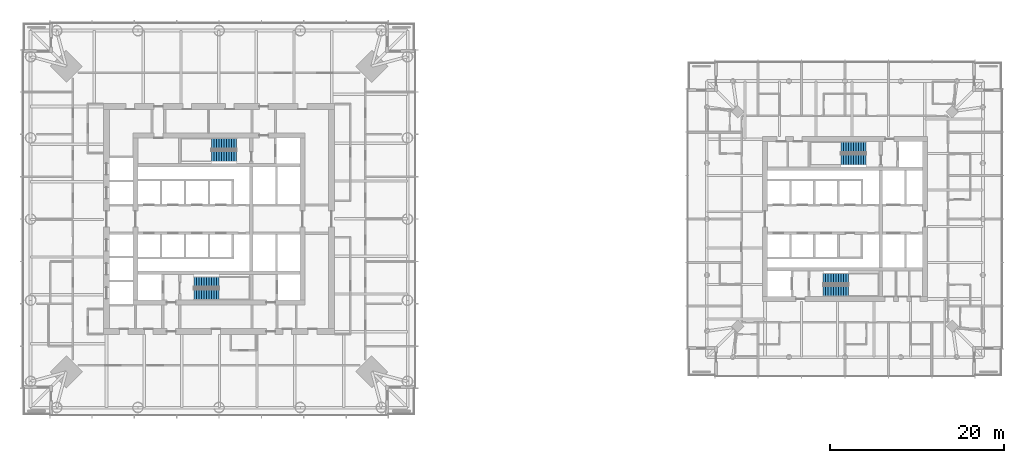
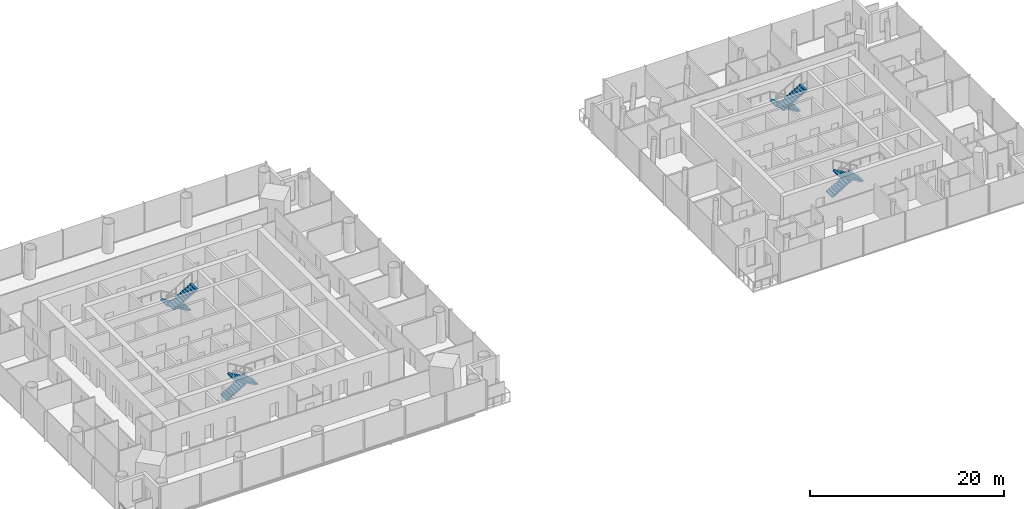
# One storey, part 16 of 18: 8 stair flights, 4 elements without a shape of their own.
"""IFC4 building model written with IfcOpenShell, lengths in metres."""

from ifc_helpers import new_model, si_unit, direction, frame, origin, place, context, subcontext, project, spatial, polyline, outline, extrude, material, type_object, element, aggregate, save


model = new_model("IFC4")

# Units and contexts
model_context = context("Model", 3, precision=1e-05, world=origin(), true_north=direction((0.0, 1.0)))
body_context = subcontext(model_context, "Body", "Model", "MODEL_VIEW")
ifc_project = project(units=[si_unit("LENGTHUNIT", "METRE"), si_unit("AREAUNIT", "SQUARE_METRE"), si_unit("VOLUMEUNIT", "CUBIC_METRE"), si_unit("PLANEANGLEUNIT", "RADIAN"), si_unit("MASSUNIT", "GRAM", prefix="KILO")], contexts=[model_context])

# Site, building, storey
site_placement = place(None, origin())
site = spatial("IfcSite", under=ifc_project, at=site_placement, CompositionType="ELEMENT")
building_placement = place(site_placement, origin())
building = spatial("IfcBuilding", under=site, at=building_placement, Name="Ostroluk Exchange", CompositionType="ELEMENT")
storey_placement = place(building_placement, frame((0.0, 0.0, 93.199951171875)))
storey = spatial("IfcBuildingStorey", under=building, at=storey_placement, Name="L23", CompositionType="ELEMENT", Elevation=93.199951171875)

# Stair, stair flights
ifc_material_1 = material(Name="Concrete C30/37", Category="concrete")
stair_type = type_object("IfcStairType", Name="Exit stair half turn 3800", PredefinedType="HALF_TURN_STAIR", material=ifc_material_1)
stair_1_placement = place(storey_placement, origin())
stair_1 = element("IfcStair", 1, at=stair_1_placement, inside=storey, type_object=stair_type, Name="Stair T1-S1 L23", PredefinedType="HALF_TURN_STAIR")
ifc_material_2 = material(Name="Concrete C30/37", Category="concrete")
stair_flight_type = type_object("IfcStairFlightType", Name="Stair flight 11 risers 172.7 x 290", PredefinedType="STRAIGHT", material=ifc_material_2)
stair_flight_1_placement = place(storey_placement, frame((42.10009765625, 38.77490234375, 0.0), z_axis=(0.0, 0.0, 1.0), x_axis=(1.0, 0.0, 0.0)))
stair_flight_1 = element("IfcStairFlight", 2, at=stair_flight_1_placement, type_object=stair_flight_type, Name="T1-S1 flight 1", NumberOfRisers=11, NumberOfTreads=10, PredefinedType="STRAIGHT", RiserHeight=0.172727273, TreadLength=0.29, context=body_context, shape_type="SweptSolid", body=[
    extrude(outline(polyline([(0.0, 0.0), (0.0, 0.172607421875), (0.2900390625, 0.172607421875), (0.2900390625, 0.345458984375), (0.580078125, 0.345458984375), (0.580078125, 0.51806640625), (0.8701171875, 0.51806640625), (0.8701171875, 0.69091796875), (1.159912109375, 0.69091796875), (1.159912109375, 0.863525390625), (1.449951171875, 0.863525390625), (1.449951171875, 1.036376953125), (1.739990234375, 1.036376953125), (1.739990234375, 1.208984375), (2.030029296875, 1.208984375), (2.030029296875, 1.3818359375), (2.320068359375, 1.3818359375), (2.320068359375, 1.554443359375), (2.610107421875, 1.554443359375), (2.610107421875, 1.727294921875), (2.89990234375, 1.727294921875), (2.89990234375, 1.89990234375), (2.89990234375, 1.552734375), (0.29296875, 0.0), (0.0, 0.0)])), frame((0.0, 0.625, 0.0), z_axis=(0.0, -1.0, 0.0), x_axis=(1.0, 0.0, 0.0)), (0.0, 0.0, 1.0), 1.25),
])
stair_flight_2_placement = place(storey_placement, frame((45.0, 37.324951171875, 1.900146484375), z_axis=(0.0, 0.0, 1.0), x_axis=(-1.0, 0.0, 0.0)))
stair_flight_2 = element("IfcStairFlight", 3, at=stair_flight_2_placement, type_object=stair_flight_type, Name="T1-S1 flight 2", NumberOfRisers=11, NumberOfTreads=10, PredefinedType="STRAIGHT", RiserHeight=0.172727273, TreadLength=0.29, context=body_context, shape_type="SweptSolid", body=[
    extrude(outline(polyline([(0.0, 0.0), (0.0, 0.172607421875), (0.2900390625, 0.172607421875), (0.2900390625, 0.345458984375), (0.580078125, 0.345458984375), (0.580078125, 0.51806640625), (0.8701171875, 0.51806640625), (0.8701171875, 0.69091796875), (1.159912109375, 0.69091796875), (1.159912109375, 0.863525390625), (1.449951171875, 0.863525390625), (1.449951171875, 1.036376953125), (1.739990234375, 1.036376953125), (1.739990234375, 1.208984375), (2.030029296875, 1.208984375), (2.030029296875, 1.3818359375), (2.320068359375, 1.3818359375), (2.320068359375, 1.554443359375), (2.610107421875, 1.554443359375), (2.610107421875, 1.727294921875), (2.89990234375, 1.727294921875), (2.89990234375, 1.89990234375), (2.89990234375, 1.552734375), (0.29296875, 0.0), (0.0, 0.0)])), frame((0.0, 0.625, 0.0), z_axis=(0.0, -1.0, 0.0), x_axis=(1.0, 0.0, 0.0)), (0.0, 0.0, 1.0), 1.25),
])
aggregate(stair_1, [stair_flight_1, stair_flight_2])

stair_2_placement = place(storey_placement, origin())
stair_2 = element("IfcStair", 4, at=stair_2_placement, inside=storey, type_object=stair_type, Name="Stair T1-S2 L23", PredefinedType="HALF_TURN_STAIR")
stair_flight_3_placement = place(storey_placement, frame((47.030029296875, 54.675048828125, 0.0), z_axis=(0.0, 0.0, 1.0), x_axis=(-1.0, 0.0, 0.0)))
stair_flight_3 = element("IfcStairFlight", 5, at=stair_flight_3_placement, type_object=stair_flight_type, Name="T1-S2 flight 1", NumberOfRisers=11, NumberOfTreads=10, PredefinedType="STRAIGHT", RiserHeight=0.172727273, TreadLength=0.29, context=body_context, shape_type="SweptSolid", body=[
    extrude(outline(polyline([(0.0, 0.0), (0.0, 0.172607421875), (0.2900390625, 0.172607421875), (0.2900390625, 0.345458984375), (0.580078125, 0.345458984375), (0.580078125, 0.51806640625), (0.8701171875, 0.51806640625), (0.8701171875, 0.69091796875), (1.159912109375, 0.69091796875), (1.159912109375, 0.863525390625), (1.449951171875, 0.863525390625), (1.449951171875, 1.036376953125), (1.739990234375, 1.036376953125), (1.739990234375, 1.208984375), (2.030029296875, 1.208984375), (2.030029296875, 1.3818359375), (2.320068359375, 1.3818359375), (2.320068359375, 1.554443359375), (2.610107421875, 1.554443359375), (2.610107421875, 1.727294921875), (2.89990234375, 1.727294921875), (2.89990234375, 1.89990234375), (2.89990234375, 1.552734375), (0.29296875, 0.0), (0.0, 0.0)])), frame((0.0, 0.625, 0.0), z_axis=(0.0, -1.0, 0.0), x_axis=(1.0, 0.0, 0.0)), (0.0, 0.0, 1.0), 1.25),
])
stair_flight_4_placement = place(storey_placement, frame((44.1298828125, 53.22509765625, 1.900146484375), z_axis=(0.0, 0.0, 1.0), x_axis=(1.0, 0.0, 0.0)))
stair_flight_4 = element("IfcStairFlight", 6, at=stair_flight_4_placement, type_object=stair_flight_type, Name="T1-S2 flight 2", NumberOfRisers=11, NumberOfTreads=10, PredefinedType="STRAIGHT", RiserHeight=0.172727273, TreadLength=0.29, context=body_context, shape_type="SweptSolid", body=[
    extrude(outline(polyline([(0.0, 0.0), (0.0, 0.172607421875), (0.2900390625, 0.172607421875), (0.2900390625, 0.345458984375), (0.580078125, 0.345458984375), (0.580078125, 0.51806640625), (0.8701171875, 0.51806640625), (0.8701171875, 0.69091796875), (1.159912109375, 0.69091796875), (1.159912109375, 0.863525390625), (1.449951171875, 0.863525390625), (1.449951171875, 1.036376953125), (1.739990234375, 1.036376953125), (1.739990234375, 1.208984375), (2.030029296875, 1.208984375), (2.030029296875, 1.3818359375), (2.320068359375, 1.3818359375), (2.320068359375, 1.554443359375), (2.610107421875, 1.554443359375), (2.610107421875, 1.727294921875), (2.89990234375, 1.727294921875), (2.89990234375, 1.89990234375), (2.89990234375, 1.552734375), (0.29296875, 0.0), (0.0, 0.0)])), frame((0.0, 0.625, 0.0), z_axis=(0.0, -1.0, 0.0), x_axis=(1.0, 0.0, 0.0)), (0.0, 0.0, 1.0), 1.25),
])
aggregate(stair_2, [stair_flight_3, stair_flight_4])

stair_3_placement = place(storey_placement, origin())
stair_3 = element("IfcStair", 7, at=stair_3_placement, inside=storey, type_object=stair_type, Name="Stair T2-S1 L23", PredefinedType="HALF_TURN_STAIR")
stair_flight_5_placement = place(storey_placement, frame((114.5, 39.175048828125, 0.0), z_axis=(0.0, 0.0, 1.0), x_axis=(1.0, 0.0, 0.0)))
stair_flight_5 = element("IfcStairFlight", 8, at=stair_flight_5_placement, type_object=stair_flight_type, Name="T2-S1 flight 1", NumberOfRisers=11, NumberOfTreads=10, PredefinedType="STRAIGHT", RiserHeight=0.172727273, TreadLength=0.29, context=body_context, shape_type="SweptSolid", body=[
    extrude(outline(polyline([(0.0, 0.0), (0.0, 0.172607421875), (0.2900390625, 0.172607421875), (0.2900390625, 0.345458984375), (0.580078125, 0.345458984375), (0.580078125, 0.51806640625), (0.8701171875, 0.51806640625), (0.8701171875, 0.69091796875), (1.159912109375, 0.69091796875), (1.159912109375, 0.863525390625), (1.449951171875, 0.863525390625), (1.449951171875, 1.036376953125), (1.739990234375, 1.036376953125), (1.739990234375, 1.208984375), (2.030029296875, 1.208984375), (2.030029296875, 1.3818359375), (2.320068359375, 1.3818359375), (2.320068359375, 1.554443359375), (2.610107421875, 1.554443359375), (2.610107421875, 1.727294921875), (2.89990234375, 1.727294921875), (2.89990234375, 1.89990234375), (2.89990234375, 1.552734375), (0.29296875, 0.0), (0.0, 0.0)])), frame((0.0, 0.625, 0.0), z_axis=(0.0, -1.0, 0.0), x_axis=(1.0, 0.0, 0.0)), (0.0, 0.0, 1.0), 1.25),
])
stair_flight_6_placement = place(storey_placement, frame((117.39990234375, 37.72509765625, 1.900146484375), z_axis=(0.0, 0.0, 1.0), x_axis=(-1.0, 0.0, 0.0)))
stair_flight_6 = element("IfcStairFlight", 9, at=stair_flight_6_placement, type_object=stair_flight_type, Name="T2-S1 flight 2", NumberOfRisers=11, NumberOfTreads=10, PredefinedType="STRAIGHT", RiserHeight=0.172727273, TreadLength=0.29, context=body_context, shape_type="SweptSolid", body=[
    extrude(outline(polyline([(0.0, 0.0), (0.0, 0.172607421875), (0.2900390625, 0.172607421875), (0.2900390625, 0.345458984375), (0.580078125, 0.345458984375), (0.580078125, 0.51806640625), (0.8701171875, 0.51806640625), (0.8701171875, 0.69091796875), (1.159912109375, 0.69091796875), (1.159912109375, 0.863525390625), (1.449951171875, 0.863525390625), (1.449951171875, 1.036376953125), (1.739990234375, 1.036376953125), (1.739990234375, 1.208984375), (2.030029296875, 1.208984375), (2.030029296875, 1.3818359375), (2.320068359375, 1.3818359375), (2.320068359375, 1.554443359375), (2.610107421875, 1.554443359375), (2.610107421875, 1.727294921875), (2.89990234375, 1.727294921875), (2.89990234375, 1.89990234375), (2.89990234375, 1.552734375), (0.29296875, 0.0), (0.0, 0.0)])), frame((0.0, 0.625, 0.0), z_axis=(0.0, -1.0, 0.0), x_axis=(1.0, 0.0, 0.0)), (0.0, 0.0, 1.0), 1.25),
])
aggregate(stair_3, [stair_flight_5, stair_flight_6])

stair_4_placement = place(storey_placement, origin())
stair_4 = element("IfcStair", 10, at=stair_4_placement, inside=storey, type_object=stair_type, Name="Stair T2-S2 L23", PredefinedType="HALF_TURN_STAIR")
stair_flight_7_placement = place(storey_placement, frame((119.429931640625, 54.27490234375, 0.0), z_axis=(0.0, 0.0, 1.0), x_axis=(-1.0, 0.0, 0.0)))
stair_flight_7 = element("IfcStairFlight", 11, at=stair_flight_7_placement, type_object=stair_flight_type, Name="T2-S2 flight 1", NumberOfRisers=11, NumberOfTreads=10, PredefinedType="STRAIGHT", RiserHeight=0.172727273, TreadLength=0.29, context=body_context, shape_type="SweptSolid", body=[
    extrude(outline(polyline([(0.0, 0.0), (0.0, 0.172607421875), (0.2900390625, 0.172607421875), (0.2900390625, 0.345458984375), (0.580078125, 0.345458984375), (0.580078125, 0.51806640625), (0.8701171875, 0.51806640625), (0.8701171875, 0.69091796875), (1.159912109375, 0.69091796875), (1.159912109375, 0.863525390625), (1.449951171875, 0.863525390625), (1.449951171875, 1.036376953125), (1.739990234375, 1.036376953125), (1.739990234375, 1.208984375), (2.030029296875, 1.208984375), (2.030029296875, 1.3818359375), (2.320068359375, 1.3818359375), (2.320068359375, 1.554443359375), (2.610107421875, 1.554443359375), (2.610107421875, 1.727294921875), (2.89990234375, 1.727294921875), (2.89990234375, 1.89990234375), (2.89990234375, 1.552734375), (0.29296875, 0.0), (0.0, 0.0)])), frame((0.0, 0.625, 0.0), z_axis=(0.0, -1.0, 0.0), x_axis=(1.0, 0.0, 0.0)), (0.0, 0.0, 1.0), 1.25),
])
stair_flight_8_placement = place(storey_placement, frame((116.530029296875, 52.824951171875, 1.900146484375), z_axis=(0.0, 0.0, 1.0), x_axis=(1.0, 0.0, 0.0)))
stair_flight_8 = element("IfcStairFlight", 12, at=stair_flight_8_placement, type_object=stair_flight_type, Name="T2-S2 flight 2", NumberOfRisers=11, NumberOfTreads=10, PredefinedType="STRAIGHT", RiserHeight=0.172727273, TreadLength=0.29, context=body_context, shape_type="SweptSolid", body=[
    extrude(outline(polyline([(0.0, 0.0), (0.0, 0.172607421875), (0.2900390625, 0.172607421875), (0.2900390625, 0.345458984375), (0.580078125, 0.345458984375), (0.580078125, 0.51806640625), (0.8701171875, 0.51806640625), (0.8701171875, 0.69091796875), (1.159912109375, 0.69091796875), (1.159912109375, 0.863525390625), (1.449951171875, 0.863525390625), (1.449951171875, 1.036376953125), (1.739990234375, 1.036376953125), (1.739990234375, 1.208984375), (2.030029296875, 1.208984375), (2.030029296875, 1.3818359375), (2.320068359375, 1.3818359375), (2.320068359375, 1.554443359375), (2.610107421875, 1.554443359375), (2.610107421875, 1.727294921875), (2.89990234375, 1.727294921875), (2.89990234375, 1.89990234375), (2.89990234375, 1.552734375), (0.29296875, 0.0), (0.0, 0.0)])), frame((0.0, 0.625, 0.0), z_axis=(0.0, -1.0, 0.0), x_axis=(1.0, 0.0, 0.0)), (0.0, 0.0, 1.0), 1.25),
])
aggregate(stair_4, [stair_flight_7, stair_flight_8])

save(model, "model.ifc")
